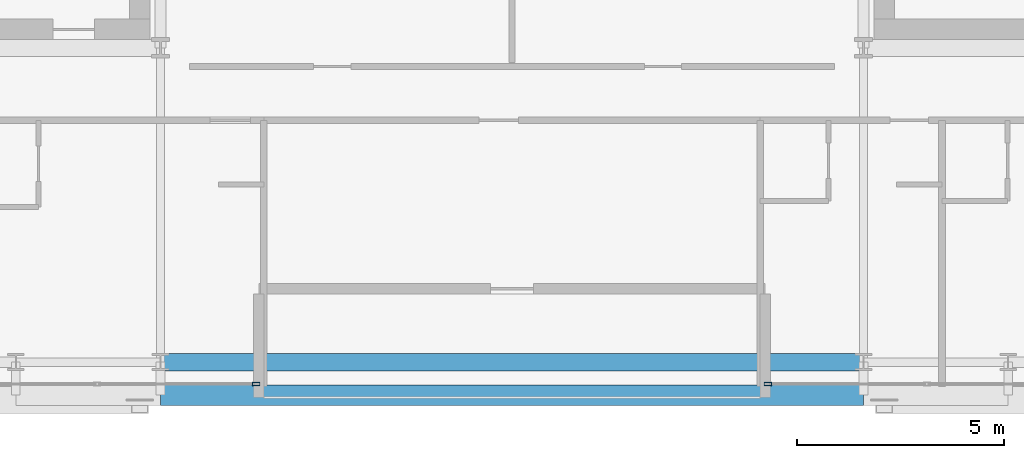
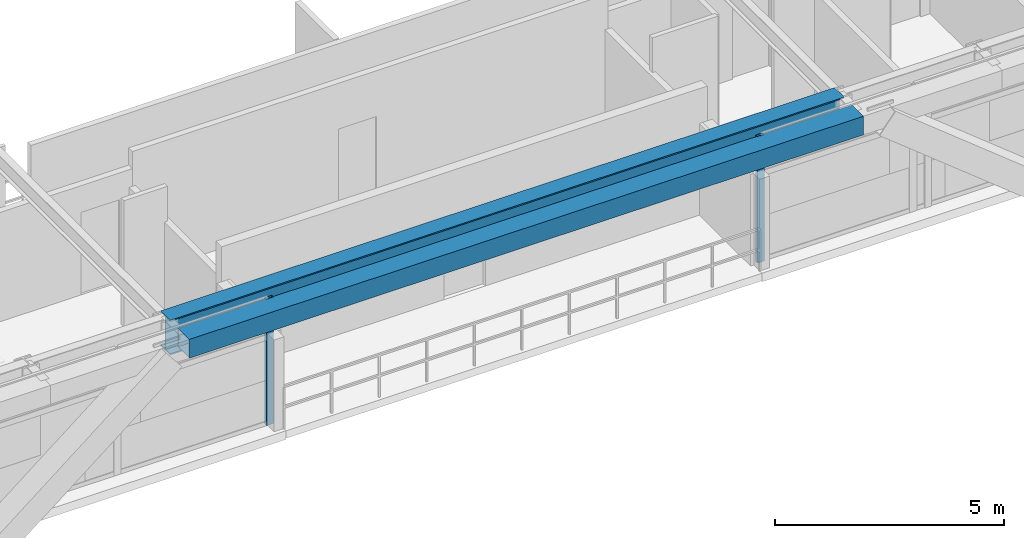
# One storey, part 6 of 32: 2 beams, 2 members, 2 elements without a shape of their own.
"""IFC4 building model written with IfcOpenShell, lengths in metres."""

from ifc_helpers import new_model, si_unit, direction, frame, origin, origin_2d, place, context, subcontext, project, spatial, hollow_rectangle, i_section, extrude, source, transform, mapped, material, layer, layer_set, material_profile, profile_set, type_object, element, aggregate, save


model = new_model("IFC4")

# Units and contexts
model_context = context("Model", 3, precision=1e-05, world=origin(), true_north=direction((0.0, 1.0)))
body_context = subcontext(model_context, "Body", "Model", "MODEL_VIEW")
ifc_project = project(units=[si_unit("LENGTHUNIT", "METRE"), si_unit("AREAUNIT", "SQUARE_METRE"), si_unit("VOLUMEUNIT", "CUBIC_METRE"), si_unit("PLANEANGLEUNIT", "RADIAN"), si_unit("MASSUNIT", "GRAM", prefix="KILO")], contexts=[model_context])

# Site, building, storey
site_placement = place(None, origin())
site = spatial("IfcSite", under=ifc_project, at=site_placement, CompositionType="ELEMENT")
building_placement = place(site_placement, origin())
building = spatial("IfcBuilding", under=site, at=building_placement, Name="Ocotamira Hotel", CompositionType="ELEMENT")
storey_placement = place(building_placement, frame((0.0, 0.0, 206.39990234375)))
storey = spatial("IfcBuildingStorey", under=building, at=storey_placement, Name="L52", CompositionType="ELEMENT", Elevation=206.39990234375)

# Beams
ifc_material_1 = material(Name="Steel ASTM A992 Grade 50", Category="steel")
ifc_material_profile_1 = material_profile(ifc_material_1, i_section(OverallWidth=0.41796875, OverallDepth=0.927001953125, WebThickness=0.019287109375, FlangeThickness=0.031982421875, FilletRadius=0.02392578125, at=origin_2d()), Name="W36X231")
ifc_profile_set_1 = profile_set([ifc_material_profile_1], Name="Steel ASTM A992 Grade 50")
beam_type_1 = type_object("IfcBeamType", Name="BM-GIRD-W36X231", PredefinedType="BEAM", material=ifc_profile_set_1)
shared_shape_1 = source(origin(), body_context, "Body", "SweptSolid", [
    extrude(i_section(OverallWidth=0.41796875, OverallDepth=0.927001953125, WebThickness=0.019287109375, FlangeThickness=0.031982421875, FilletRadius=0.02392578125, at=origin_2d()), origin(), (0.0, 0.0, 1.0), 17.0),
])
beam_1_placement = place(storey_placement, frame((23.5, 6.949951171875, 2.906494140625), z_axis=(1.0, 0.0, 0.0), x_axis=(0.0, 1.0, 0.0)))
element("IfcBeam", 1, at=beam_1_placement, inside=storey, type_object=beam_type_1, Name="L52 Girder Y6.95 X23.5-40.5", PredefinedType="BEAM", context=body_context, shape_type="MappedRepresentation", body=[
    mapped(shared_shape_1, transform((0.0, 0.0, 0.0), scale=1.0)),
])
ifc_material_2 = material(Name="Steel ASTM A500 Grade C", Category="steel")
ifc_material_profile_2 = material_profile(ifc_material_2, hollow_rectangle(XDim=0.5, YDim=0.5, WallThickness=0.02001953125, at=origin_2d()), Name="HSS500X500X20")
ifc_profile_set_2 = profile_set([ifc_material_profile_2], Name="Steel ASTM A500 Grade C")
beam_type_2 = type_object("IfcBeamType", Name="BM-SPAN-HSS500", PredefinedType="USERDEFINED", material=ifc_profile_set_2)
shared_shape_2 = source(origin(), body_context, "Body", "SweptSolid", [
    extrude(hollow_rectangle(XDim=0.5, YDim=0.5, WallThickness=0.02001953125, at=origin_2d()), origin(), (0.0, 0.0, 1.0), 17.0),
])
beam_2_placement = place(storey_placement, frame((23.5, 6.14990234375, 3.1201171875), z_axis=(1.0, 0.0, 0.0), x_axis=(0.0, 1.0, 0.0)))
element("IfcBeam", 2, at=beam_2_placement, inside=storey, type_object=beam_type_2, Name="L52 Edge Spandrel S X23.5-40.5", ObjectType="SPANDREL", PredefinedType="USERDEFINED", context=body_context, shape_type="MappedRepresentation", body=[
    mapped(shared_shape_2, transform((0.0, 0.0, 0.0), scale=1.0)),
])

# Curtain wall, member
ifc_material_3 = material(Name="Anodised pale-metal aluminium and solar glass", Category="aluminium")
ifc_layer = layer(ifc_material_3, 0.199951171875)
ifc_layer_set = layer_set([ifc_layer], Name="Anodised pale-metal aluminium and solar glass")
curtain_wall_type = type_object("IfcCurtainWallType", Name="CW-SYS4-Z3", PredefinedType="NOTDEFINED", material=ifc_layer_set)
curtain_wall_1_placement = place(storey_placement, origin())
curtain_wall_1 = element("IfcCurtainWall", 3, at=curtain_wall_1_placement, inside=storey, type_object=curtain_wall_type, Name="L52 Curtain Wall CW-4 CW-L52-S1", PredefinedType="NOTDEFINED")
ifc_material_4 = material(Name="Anodised pale-metal aluminium 6063-T6", Category="aluminium")
ifc_material_profile_3 = material_profile(ifc_material_4, hollow_rectangle(XDim=0.080078125, YDim=0.179931640625, WallThickness=0.006103515625, at=origin_2d()), Name="HSS180X80X6")
ifc_profile_set_3 = profile_set([ifc_material_profile_3], Name="Anodised pale-metal aluminium 6063-T6")
member_type = type_object("IfcMemberType", Name="CWM-180X75", PredefinedType="MULLION", material=ifc_profile_set_3)
shared_shape_3 = source(origin(), body_context, "Body", "SweptSolid", [
    extrude(hollow_rectangle(XDim=0.080078125, YDim=0.179931640625, WallThickness=0.006103515625, at=origin_2d()), origin(), (0.0, 0.0, 1.0), 3.3701171875),
])
member_1_placement = place(storey_placement, frame((25.81005859375, 6.419921875, 0.0), z_axis=(0.0, 0.0, 1.0), x_axis=(0.0, 1.0, 0.0)))
member_1 = element("IfcMember", 4, at=member_1_placement, type_object=member_type, Name="CW-4 mullion 4", PredefinedType="MULLION", context=body_context, shape_type="MappedRepresentation", body=[
    mapped(shared_shape_3, transform((0.0, 0.0, 0.0), scale=1.0)),
])
aggregate(curtain_wall_1, [member_1])

curtain_wall_2_placement = place(storey_placement, origin())
curtain_wall_2 = element("IfcCurtainWall", 5, at=curtain_wall_2_placement, inside=storey, type_object=curtain_wall_type, Name="L52 Curtain Wall CW-4 CW-L52-S2", PredefinedType="NOTDEFINED")
member_2_placement = place(storey_placement, frame((38.18994140625, 6.419921875, 0.0), z_axis=(0.0, 0.0, 1.0), x_axis=(0.0, 1.0, 0.0)))
member_2 = element("IfcMember", 6, at=member_2_placement, type_object=member_type, Name="CW-4 mullion 1", PredefinedType="MULLION", context=body_context, shape_type="MappedRepresentation", body=[
    mapped(shared_shape_3, transform((0.0, 0.0, 0.0), scale=1.0)),
])
aggregate(curtain_wall_2, [member_2])

save(model, "model.ifc")
